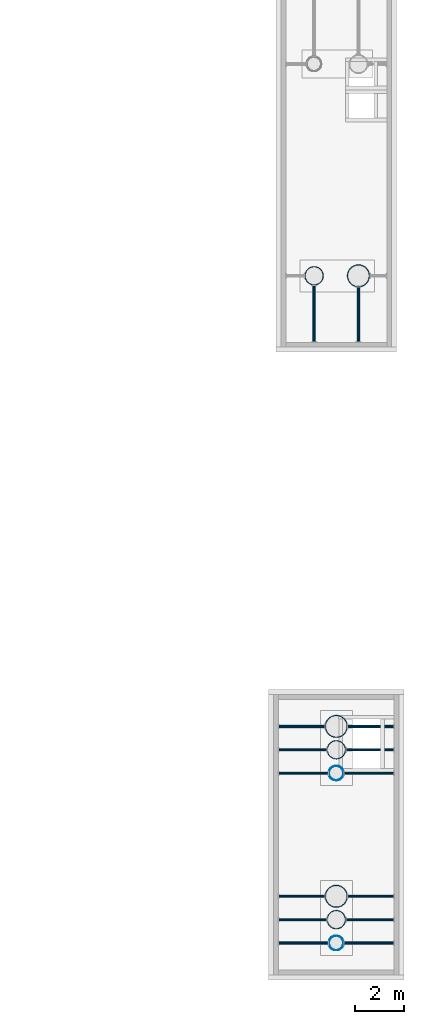
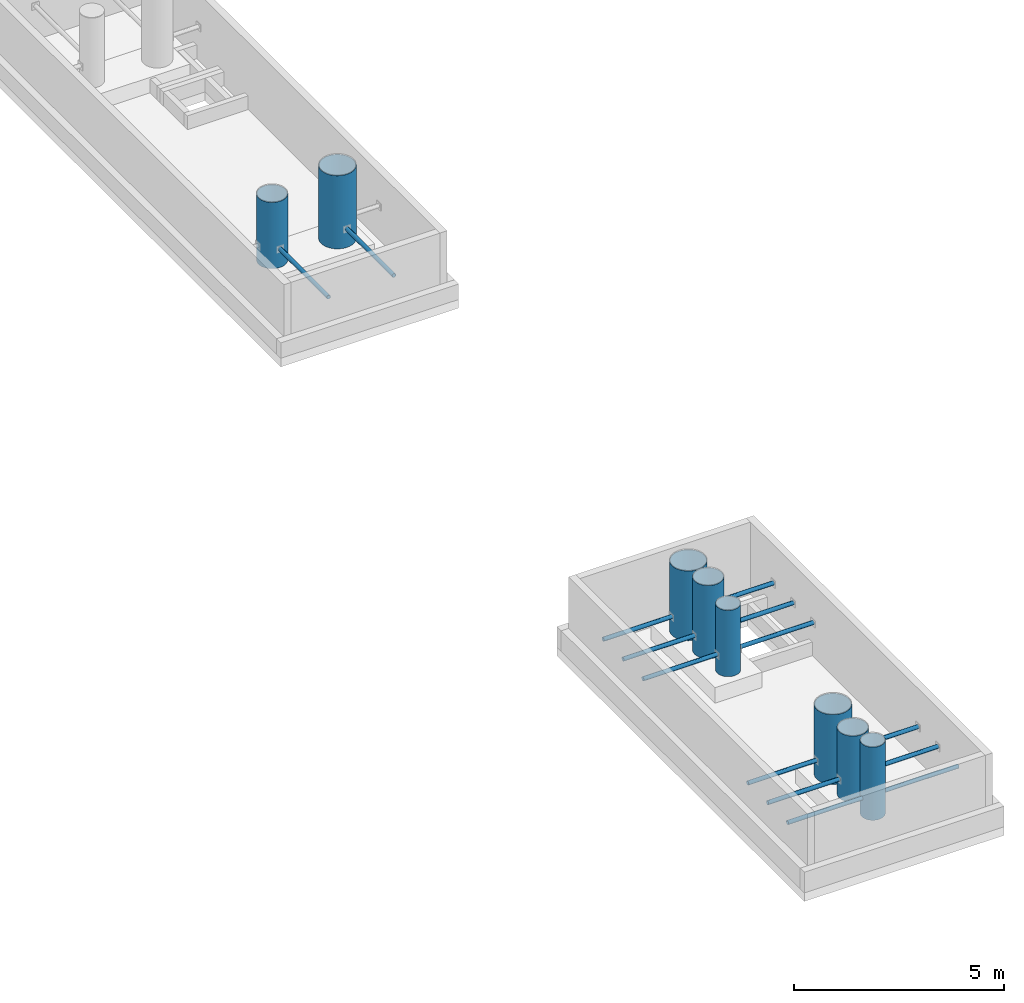
# One storey, part 5 of 22: 22 members.
"""IFC4 building model written with IfcOpenShell, lengths in metres."""

from ifc_helpers import new_model, si_unit, direction, frame, origin, origin_2d, place, context, subcontext, project, spatial, hollow_circle, extrude, material, material_profile, profile_set, type_object, element, save


model = new_model("IFC4")

# Units and contexts
model_context = context("Model", 3, precision=1e-05, world=origin(), true_north=direction((0.0, 1.0)))
body_context = subcontext(model_context, "Body", "Model", "MODEL_VIEW")
ifc_project = project(units=[si_unit("LENGTHUNIT", "METRE"), si_unit("AREAUNIT", "SQUARE_METRE"), si_unit("VOLUMEUNIT", "CUBIC_METRE"), si_unit("PLANEANGLEUNIT", "RADIAN"), si_unit("MASSUNIT", "GRAM", prefix="KILO")], contexts=[model_context])

# Site, building, storey
site_placement = place(None, origin())
site = spatial("IfcSite", under=ifc_project, at=site_placement, CompositionType="ELEMENT")
building_placement = place(site_placement, origin())
building = spatial("IfcBuilding", under=site, at=building_placement, Name="Basin Gate Institute", CompositionType="ELEMENT")
storey_placement = place(building_placement, frame((0.0, 0.0, 51.0)))
storey = spatial("IfcBuildingStorey", under=building, at=storey_placement, Name="L10", CompositionType="ELEMENT", Elevation=51.0)

# Members
ifc_material_1 = material(Name="Structural steel SN490", Category="steel")
ifc_material_profile_1 = material_profile(ifc_material_1, hollow_circle(Radius=0.300048828125, WallThickness=0.011962890625, at=origin_2d()), Name="CHS600x12")
ifc_profile_set_1 = profile_set([ifc_material_profile_1], Name="Structural steel SN490")
member_type_1 = type_object("IfcMemberType", Name="Exhaust pipe EX1", PredefinedType="POST", material=ifc_profile_set_1)
member_1_placement = place(storey_placement, frame((116.550048828125, 36.10009765625, 0.699951171875), z_axis=(0.0, 0.0, 1.0), x_axis=(1.0, 0.0, 0.0)))
element("IfcMember", 1, at=member_1_placement, inside=storey, type_object=member_type_1, material=ifc_profile_set_1, Name="Exhaust pipe EX1 ES 1", PredefinedType="POST", context=body_context, shape_type="SweptSolid", body=[
    extrude(hollow_circle(Radius=0.300048828125, WallThickness=0.011962890625, at=origin_2d()), origin(), (0.0, 0.0, 1.0), 2.130126953125),
])
member_2_placement = place(storey_placement, frame((116.550048828125, 43.0, 0.699951171875), z_axis=(0.0, 0.0, 1.0), x_axis=(1.0, 0.0, 0.0)))
element("IfcMember", 2, at=member_2_placement, inside=storey, type_object=member_type_1, material=ifc_profile_set_1, Name="Exhaust pipe EX1 ES 4", PredefinedType="POST", context=body_context, shape_type="SweptSolid", body=[
    extrude(hollow_circle(Radius=0.300048828125, WallThickness=0.011962890625, at=origin_2d()), origin(), (0.0, 0.0, 1.0), 1.929931640625),
])
ifc_material_2 = material(Name="Structural steel SN490", Category="steel")
ifc_material_profile_2 = material_profile(ifc_material_2, hollow_circle(Radius=0.375, WallThickness=0.013916015625, at=origin_2d()), Name="CHS750x14")
ifc_profile_set_2 = profile_set([ifc_material_profile_2], Name="Structural steel SN490")
member_type_2 = type_object("IfcMemberType", Name="Exhaust pipe EX2", PredefinedType="POST", material=ifc_profile_set_2)
member_3_placement = place(storey_placement, frame((116.550048828125, 37.050048828125, 0.699951171875), z_axis=(0.0, 0.0, 1.0), x_axis=(1.0, 0.0, 0.0)))
element("IfcMember", 3, at=member_3_placement, inside=storey, type_object=member_type_2, material=ifc_profile_set_2, Name="Exhaust pipe EX2 ES 2", PredefinedType="POST", context=body_context, shape_type="SweptSolid", body=[
    extrude(hollow_circle(Radius=0.375, WallThickness=0.013916015625, at=origin_2d()), origin(), (0.0, 0.0, 1.0), 1.929931640625),
])
member_4_placement = place(storey_placement, frame((116.550048828125, 43.949951171875, 0.699951171875), z_axis=(0.0, 0.0, 1.0), x_axis=(1.0, 0.0, 0.0)))
element("IfcMember", 4, at=member_4_placement, inside=storey, type_object=member_type_2, material=ifc_profile_set_2, Name="Exhaust pipe EX2 ES 5", PredefinedType="POST", context=body_context, shape_type="SweptSolid", body=[
    extrude(hollow_circle(Radius=0.375, WallThickness=0.013916015625, at=origin_2d()), origin(), (0.0, 0.0, 1.0), 2.130126953125),
])
member_5_placement = place(storey_placement, frame((115.64990234375, 63.199951171875, 0.699951171875), z_axis=(0.0, 0.0, 1.0), x_axis=(1.0, 0.0, 0.0)))
element("IfcMember", 5, at=member_5_placement, inside=storey, type_object=member_type_2, material=ifc_profile_set_2, Name="Exhaust pipe EX2 EM 1", PredefinedType="POST", context=body_context, shape_type="SweptSolid", body=[
    extrude(hollow_circle(Radius=0.375, WallThickness=0.013916015625, at=origin_2d()), origin(), (0.0, 0.0, 1.0), 1.929931640625),
])
ifc_material_3 = material(Name="Structural steel SN490", Category="steel")
ifc_material_profile_3 = material_profile(ifc_material_3, hollow_circle(Radius=0.449951171875, WallThickness=0.01611328125, at=origin_2d()), Name="CHS900x16")
ifc_profile_set_3 = profile_set([ifc_material_profile_3], Name="Structural steel SN490")
member_type_3 = type_object("IfcMemberType", Name="Exhaust pipe EX3", PredefinedType="POST", material=ifc_profile_set_3)
for number, where, z_axis, x_axis, name in (
    (6, (116.550048828125, 38.0, 0.699951171875), (0.0, 0.0, 1.0), (1.0, 0.0, 0.0), "Exhaust pipe EX3 ES 3"),
    (7, (116.550048828125, 44.89990234375, 0.699951171875), (0.0, 0.0, 1.0), (1.0, 0.0, 0.0), "Exhaust pipe EX3 ES 6"),
):
    element("IfcMember", number, at=place(storey_placement, frame(where, z_axis=z_axis, x_axis=x_axis)), inside=storey, type_object=member_type_3, material=ifc_profile_set_3, Name=name, PredefinedType="POST", context=body_context, shape_type="SweptSolid", body=[
        extrude(hollow_circle(Radius=0.449951171875, WallThickness=0.01611328125, at=origin_2d()), origin(), (0.0, 0.0, 1.0), 2.030029296875),
    ])
member_6_placement = place(storey_placement, frame((117.449951171875, 63.199951171875, 0.699951171875), z_axis=(0.0, 0.0, 1.0), x_axis=(1.0, 0.0, 0.0)))
element("IfcMember", 8, at=member_6_placement, inside=storey, type_object=member_type_3, material=ifc_profile_set_3, Name="Exhaust pipe EX3 EM 2", PredefinedType="POST", context=body_context, shape_type="SweptSolid", body=[
    extrude(hollow_circle(Radius=0.449951171875, WallThickness=0.01611328125, at=origin_2d()), origin(), (0.0, 0.0, 1.0), 2.130126953125),
])
ifc_material_4 = material(Name="Structural steel SN490", Category="steel")
ifc_material_profile_4 = material_profile(ifc_material_4, hollow_circle(Radius=0.05712890625, WallThickness=0.0048828125, at=origin_2d()), Name="CHS114x5")
ifc_profile_set_4 = profile_set([ifc_material_profile_4], Name="Structural steel SN490")
member_type_4 = type_object("IfcMemberType", Name="Exhaust pipe tie TD5", PredefinedType="BRACE", material=ifc_profile_set_4)
member_7_placement = place(storey_placement, frame((116.25, 36.10009765625, 1.25), z_axis=(-1.0, 0.0, 0.0), x_axis=(0.0, -1.0, 0.0)))
element("IfcMember", 9, at=member_7_placement, inside=storey, type_object=member_type_4, material=ifc_profile_set_4, Name="Exhaust pipe tie TD5 ES 1a", PredefinedType="BRACE", context=body_context, shape_type="SweptSolid", body=[
    extrude(hollow_circle(Radius=0.05712890625, WallThickness=0.0048828125, at=origin_2d()), origin(), (0.0, 0.0, 1.0), 2.050048828125),
])
member_8_placement = place(storey_placement, frame((116.85009765625, 36.10009765625, 1.25), z_axis=(1.0, 0.0, 0.0), x_axis=(0.0, 1.0, 0.0)))
element("IfcMember", 10, at=member_8_placement, inside=storey, type_object=member_type_4, material=ifc_profile_set_4, Name="Exhaust pipe tie TD5 ES 1b", PredefinedType="BRACE", context=body_context, shape_type="SweptSolid", body=[
    extrude(hollow_circle(Radius=0.05712890625, WallThickness=0.0048828125, at=origin_2d()), origin(), (0.0, 0.0, 1.0), 2.0498046875),
])
member_9_placement = place(storey_placement, frame((116.175048828125, 37.050048828125, 1.25), z_axis=(-1.0, 0.0, 0.0), x_axis=(0.0, -1.0, 0.0)))
element("IfcMember", 11, at=member_9_placement, inside=storey, type_object=member_type_4, material=ifc_profile_set_4, Name="Exhaust pipe tie TD5 ES 2a", PredefinedType="BRACE", context=body_context, shape_type="SweptSolid", body=[
    extrude(hollow_circle(Radius=0.05712890625, WallThickness=0.0048828125, at=origin_2d()), origin(), (0.0, 0.0, 1.0), 1.97509765625),
])
member_10_placement = place(storey_placement, frame((116.925048828125, 37.050048828125, 1.25), z_axis=(1.0, 0.0, 0.0), x_axis=(0.0, 1.0, 0.0)))
element("IfcMember", 12, at=member_10_placement, inside=storey, type_object=member_type_4, material=ifc_profile_set_4, Name="Exhaust pipe tie TD5 ES 2b", PredefinedType="BRACE", context=body_context, shape_type="SweptSolid", body=[
    extrude(hollow_circle(Radius=0.05712890625, WallThickness=0.0048828125, at=origin_2d()), origin(), (0.0, 0.0, 1.0), 1.974853515625),
])
member_11_placement = place(storey_placement, frame((116.10009765625, 38.0, 1.25), z_axis=(-1.0, 0.0, 0.0), x_axis=(0.0, -1.0, 0.0)))
element("IfcMember", 13, at=member_11_placement, inside=storey, type_object=member_type_4, material=ifc_profile_set_4, Name="Exhaust pipe tie TD5 ES 3a", PredefinedType="BRACE", context=body_context, shape_type="SweptSolid", body=[
    extrude(hollow_circle(Radius=0.05712890625, WallThickness=0.0048828125, at=origin_2d()), origin(), (0.0, 0.0, 1.0), 1.900146484375),
])
member_12_placement = place(storey_placement, frame((117.0, 38.0, 1.25), z_axis=(1.0, 0.0, 0.0), x_axis=(0.0, 1.0, 0.0)))
element("IfcMember", 14, at=member_12_placement, inside=storey, type_object=member_type_4, material=ifc_profile_set_4, Name="Exhaust pipe tie TD5 ES 3b", PredefinedType="BRACE", context=body_context, shape_type="SweptSolid", body=[
    extrude(hollow_circle(Radius=0.05712890625, WallThickness=0.0048828125, at=origin_2d()), origin(), (0.0, 0.0, 1.0), 1.89990234375),
])
member_13_placement = place(storey_placement, frame((116.25, 43.0, 1.25), z_axis=(-1.0, 0.0, 0.0), x_axis=(0.0, -1.0, 0.0)))
element("IfcMember", 15, at=member_13_placement, inside=storey, type_object=member_type_4, material=ifc_profile_set_4, Name="Exhaust pipe tie TD5 ES 4a", PredefinedType="BRACE", context=body_context, shape_type="SweptSolid", body=[
    extrude(hollow_circle(Radius=0.05712890625, WallThickness=0.0048828125, at=origin_2d()), origin(), (0.0, 0.0, 1.0), 2.050048828125),
])
member_14_placement = place(storey_placement, frame((116.85009765625, 43.0, 1.25), z_axis=(1.0, 0.0, 0.0), x_axis=(0.0, 1.0, 0.0)))
element("IfcMember", 16, at=member_14_placement, inside=storey, type_object=member_type_4, material=ifc_profile_set_4, Name="Exhaust pipe tie TD5 ES 4b", PredefinedType="BRACE", context=body_context, shape_type="SweptSolid", body=[
    extrude(hollow_circle(Radius=0.05712890625, WallThickness=0.0048828125, at=origin_2d()), origin(), (0.0, 0.0, 1.0), 2.0498046875),
])
member_15_placement = place(storey_placement, frame((116.175048828125, 43.949951171875, 1.25), z_axis=(-1.0, 0.0, 0.0), x_axis=(0.0, -1.0, 0.0)))
element("IfcMember", 17, at=member_15_placement, inside=storey, type_object=member_type_4, material=ifc_profile_set_4, Name="Exhaust pipe tie TD5 ES 5a", PredefinedType="BRACE", context=body_context, shape_type="SweptSolid", body=[
    extrude(hollow_circle(Radius=0.05712890625, WallThickness=0.0048828125, at=origin_2d()), origin(), (0.0, 0.0, 1.0), 1.97509765625),
])
member_16_placement = place(storey_placement, frame((116.925048828125, 43.949951171875, 1.25), z_axis=(1.0, 0.0, 0.0), x_axis=(0.0, 1.0, 0.0)))
element("IfcMember", 18, at=member_16_placement, inside=storey, type_object=member_type_4, material=ifc_profile_set_4, Name="Exhaust pipe tie TD5 ES 5b", PredefinedType="BRACE", context=body_context, shape_type="SweptSolid", body=[
    extrude(hollow_circle(Radius=0.05712890625, WallThickness=0.0048828125, at=origin_2d()), origin(), (0.0, 0.0, 1.0), 1.974853515625),
])
member_17_placement = place(storey_placement, frame((116.10009765625, 44.89990234375, 1.25), z_axis=(-1.0, 0.0, 0.0), x_axis=(0.0, -1.0, 0.0)))
element("IfcMember", 19, at=member_17_placement, inside=storey, type_object=member_type_4, material=ifc_profile_set_4, Name="Exhaust pipe tie TD5 ES 6a", PredefinedType="BRACE", context=body_context, shape_type="SweptSolid", body=[
    extrude(hollow_circle(Radius=0.05712890625, WallThickness=0.0048828125, at=origin_2d()), origin(), (0.0, 0.0, 1.0), 1.900146484375),
])
member_18_placement = place(storey_placement, frame((117.0, 44.89990234375, 1.25), z_axis=(1.0, 0.0, 0.0), x_axis=(0.0, 1.0, 0.0)))
element("IfcMember", 20, at=member_18_placement, inside=storey, type_object=member_type_4, material=ifc_profile_set_4, Name="Exhaust pipe tie TD5 ES 6b", PredefinedType="BRACE", context=body_context, shape_type="SweptSolid", body=[
    extrude(hollow_circle(Radius=0.05712890625, WallThickness=0.0048828125, at=origin_2d()), origin(), (0.0, 0.0, 1.0), 1.89990234375),
])
member_19_placement = place(storey_placement, frame((115.64990234375, 62.824951171875, 1.25), z_axis=(0.0, -1.0, 0.0), x_axis=(1.0, 0.0, 0.0)))
element("IfcMember", 21, at=member_19_placement, inside=storey, type_object=member_type_4, material=ifc_profile_set_4, Name="Exhaust pipe tie TD5 EM 1b", PredefinedType="BRACE", context=body_context, shape_type="SweptSolid", body=[
    extrude(hollow_circle(Radius=0.05712890625, WallThickness=0.0048828125, at=origin_2d()), origin(), (0.0, 0.0, 1.0), 2.324951171875),
])
member_20_placement = place(storey_placement, frame((117.449951171875, 62.75, 1.25), z_axis=(0.0, -1.0, 0.0), x_axis=(1.0, 0.0, 0.0)))
element("IfcMember", 22, at=member_20_placement, inside=storey, type_object=member_type_4, material=ifc_profile_set_4, Name="Exhaust pipe tie TD5 EM 2b", PredefinedType="BRACE", context=body_context, shape_type="SweptSolid", body=[
    extrude(hollow_circle(Radius=0.05712890625, WallThickness=0.0048828125, at=origin_2d()), origin(), (0.0, 0.0, 1.0), 2.25),
])

save(model, "model.ifc")
